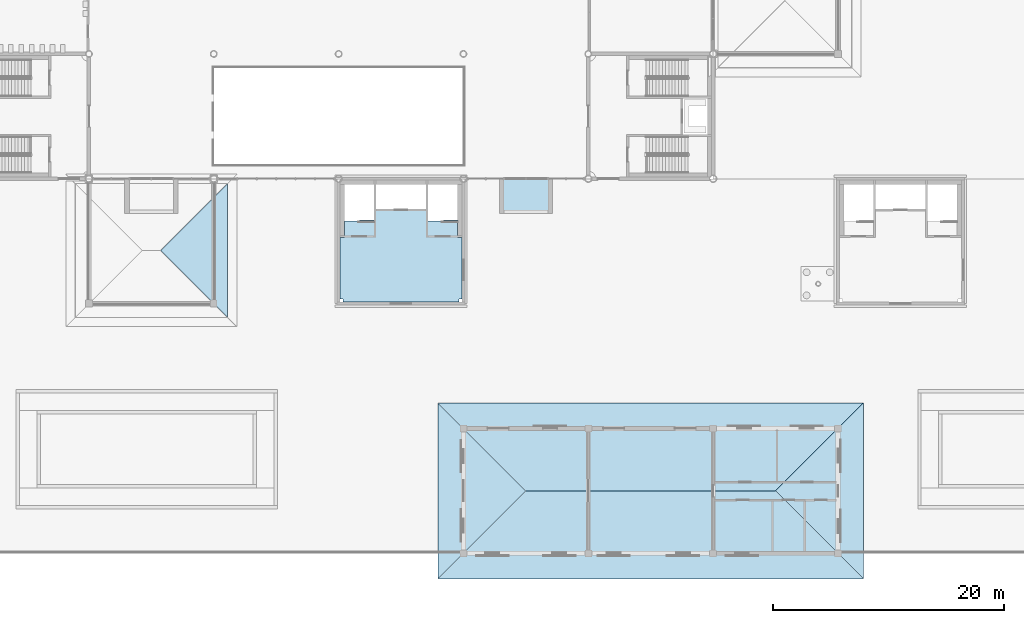
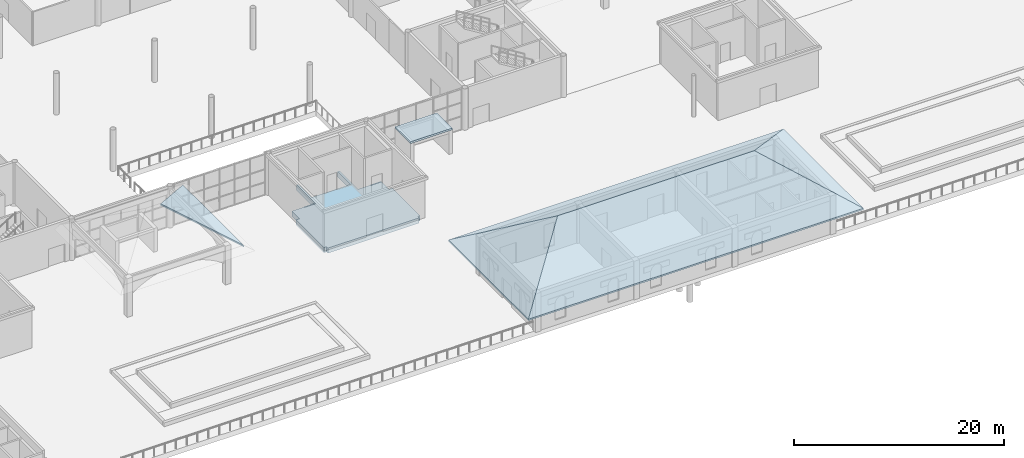
# One storey, part 36 of 91: 9 slabs.
"""IFC4 building model written with IfcOpenShell, lengths in metres."""

from ifc_helpers import new_model, si_unit, direction, frame, origin, place, context, subcontext, project, spatial, polyline, outline, extrude, material, layer, layer_set, type_object, element, save


model = new_model("IFC4")

# Units and contexts
model_context = context("Model", 3, precision=1e-05, world=origin(), true_north=direction((0.0, 1.0)))
body_context = subcontext(model_context, "Body", "Model", "MODEL_VIEW")
ifc_project = project(units=[si_unit("LENGTHUNIT", "METRE"), si_unit("AREAUNIT", "SQUARE_METRE"), si_unit("VOLUMEUNIT", "CUBIC_METRE"), si_unit("PLANEANGLEUNIT", "RADIAN"), si_unit("MASSUNIT", "GRAM", prefix="KILO")], contexts=[model_context])

# Site, building, storey
site_placement = place(None, origin())
site = spatial("IfcSite", under=ifc_project, at=site_placement, CompositionType="ELEMENT")
building_placement = place(site_placement, origin())
building = spatial("IfcBuilding", under=site, at=building_placement, Name="Magnolia Steps Interchange", CompositionType="ELEMENT")
storey_placement = place(building_placement, origin())
storey = spatial("IfcBuildingStorey", under=building, at=storey_placement, Name="L00", CompositionType="ELEMENT", Elevation=0.0)

# Slabs
ifc_material_1 = material(Name="Concrete C35", Category="concrete")
ifc_layer_1 = layer(ifc_material_1, 0.199951171875)
ifc_layer_set_1 = layer_set([ifc_layer_1], Name="Core floor nib 200")
slab_type_1 = type_object("IfcSlabType", Name="Core floor nib 200", PredefinedType="FLOOR", material=ifc_layer_set_1)
slab_1_placement = place(storey_placement, frame((0.0, 0.0, -0.199951171875)))
element("IfcSlab", 1, at=slab_1_placement, inside=storey, type_object=slab_type_1, Name="L00 core floor nib BC2", PredefinedType="FLOOR", context=body_context, shape_type="SweptSolid", body=[
    extrude(outline(polyline([(87.449951171875, 38.679931640625), (87.449951171875, 38.800048828125), (88.64990234375, 38.800048828125), (88.64990234375, 38.679931640625), (87.449951171875, 38.679931640625)])), origin(), (0.0, 0.0, 1.0), 0.199951171875),
])
slab_2_placement = place(storey_placement, frame((0.0, 0.0, -0.199951171875)))
element("IfcSlab", 2, at=slab_2_placement, inside=storey, type_object=slab_type_1, Name="L00 core floor nib BC2", PredefinedType="FLOOR", context=body_context, shape_type="SweptSolid", body=[
    extrude(outline(polyline([(94.699951171875, 38.679931640625), (94.699951171875, 38.800048828125), (95.89990234375, 38.800048828125), (95.89990234375, 38.679931640625), (94.699951171875, 38.679931640625)])), origin(), (0.0, 0.0, 1.0), 0.199951171875),
])
ifc_material_2 = material(Name="Concrete C35", Category="concrete")
ifc_layer_2 = layer(ifc_material_2, 0.60009765625)
ifc_layer_set_2 = layer_set([ifc_layer_2], Name="Core floor slab 600")
slab_type_2 = type_object("IfcSlabType", Name="Core floor slab 600", PredefinedType="FLOOR", material=ifc_layer_set_2)
slab_3_placement = place(storey_placement, frame((0.0, 0.0, -0.60009765625)))
element("IfcSlab", 3, at=slab_3_placement, inside=storey, type_object=slab_type_2, Name="L00 core floor BC2", PredefinedType="FLOOR", context=body_context, shape_type="SweptSolid", body=[
    extrude(outline(polyline([(86.0, 32.0), (85.72509765625, 32.0), (85.72509765625, 37.300048828125), (86.10009765625, 37.300048828125), (86.10009765625, 38.75), (87.449951171875, 38.75), (87.449951171875, 38.679931640625), (88.64990234375, 38.679931640625), (88.64990234375, 42.27490234375), (88.85009765625, 42.27490234375), (88.85009765625, 39.800048828125), (93.14990234375, 39.800048828125), (93.14990234375, 42.27490234375), (93.35009765625, 42.27490234375), (93.35009765625, 38.75), (94.699951171875, 38.75), (94.699951171875, 38.679931640625), (95.89990234375, 38.679931640625), (95.89990234375, 37.300048828125), (96.27490234375, 37.300048828125), (96.27490234375, 32.0), (96.0, 32.0), (96.0, 31.72509765625), (86.0, 31.72509765625), (86.0, 32.0)])), origin(), (0.0, 0.0, 1.0), 0.60009765625),
])
ifc_material_3 = material(Name="Concrete C40", Category="concrete")
ifc_layer_3 = layer(ifc_material_3, 0.199951171875)
ifc_layer_set_3 = layer_set([ifc_layer_3], Name="Entrance canopy slab 200")
slab_type_3 = type_object("IfcSlabType", Name="Entrance canopy slab 200", PredefinedType="ROOF", material=ifc_layer_set_3)
slab_4_placement = place(storey_placement, frame((0.0, 0.0, 2.75)))
element("IfcSlab", 4, at=slab_4_placement, inside=storey, type_object=slab_type_3, Name="Entrance canopy 5", PredefinedType="ROOF", context=body_context, shape_type="SweptSolid", body=[
    extrude(outline(polyline([(99.5, 39.39990234375), (104.10009765625, 39.39990234375), (104.10009765625, 42.324951171875), (99.5, 42.324951171875), (99.5, 39.39990234375)])), origin(), (0.0, 0.0, 1.0), 0.199951171875),
])
ifc_material_4 = material(Name="Concrete C40", Category="concrete")
ifc_layer_4 = layer(ifc_material_4, 0.14990234375)
ifc_layer_set_4 = layer_set([ifc_layer_4], Name="Pavilion roof slab 150")
slab_type_4 = type_object("IfcSlabType", Name="Pavilion roof slab 150", PredefinedType="ROOF", material=ifc_layer_set_4)
slab_5_placement = place(storey_placement, frame((76.0, 30.39990234375, 4.606689453125), z_axis=(0.500543489735, 0.0, 0.865711392373), x_axis=(0.0, 1.0, 0.0)))
element("IfcSlab", 5, at=slab_5_placement, inside=storey, type_object=slab_type_4, Name="Portico roof slab PT-S2 4", PredefinedType="ROOF", context=body_context, shape_type="SweptSolid", body=[
    extrude(outline(polyline([(0.0, 0.0), (11.600097656, 0.0), (5.800048828, 6.699748761), (0.0, 0.0)])), origin(), (0.0, -0.500543489735, -0.865711392373), 0.17333984375),
])
slab_6_placement = place(storey_placement, frame((94.199951171875, 7.800048828125, 3.37744140625), z_axis=(0.0, -0.529927923074, 0.84804268545), x_axis=(1.0, 0.0, 0.0)))
element("IfcSlab", 6, at=slab_6_placement, inside=storey, type_object=slab_type_4, Name="Pavilion roof slab 1", PredefinedType="ROOF", context=body_context, shape_type="SweptSolid", body=[
    extrude(outline(polyline([(0.0, 0.0), (36.800048828, 0.0), (29.199951172, 8.961640311), (7.600097656, 8.961640311), (0.0, 0.0)])), origin(), (0.0, -0.529927923074, -0.84804268545), 0.1767578125),
])
slab_7_placement = place(storey_placement, frame((131.0, 23.0, 3.37744140625), z_axis=(0.0, 0.529915680324, 0.848050335621), x_axis=(-1.0, 0.0, 0.0)))
element("IfcSlab", 7, at=slab_7_placement, inside=storey, type_object=slab_type_4, Name="Pavilion roof slab 2", PredefinedType="ROOF", context=body_context, shape_type="SweptSolid", body=[
    extrude(outline(polyline([(0.0, 0.0), (36.800048828, 0.0), (29.199951172, 8.961847354), (7.600097656, 8.961847354), (0.0, 0.0)])), origin(), (0.0, -0.529915680324, -0.848050335621), 0.1767578125),
])
slab_8_placement = place(storey_placement, frame((94.199951171875, 23.0, 3.37744140625), z_axis=(-0.529915680324, 0.0, 0.848050335621), x_axis=(0.0, -1.0, 0.0)))
element("IfcSlab", 8, at=slab_8_placement, inside=storey, type_object=slab_type_4, Name="Pavilion roof slab 3", PredefinedType="ROOF", context=body_context, shape_type="SweptSolid", body=[
    extrude(outline(polyline([(0.0, 0.0), (15.199951172, 0.0), (7.600097656, 8.961847354), (0.0, 0.0)])), origin(), (0.0, -0.529915680324, -0.848050335621), 0.1767578125),
])
slab_9_placement = place(storey_placement, frame((131.0, 7.800048828125, 3.37744140625), z_axis=(0.529915680324, 0.0, 0.848050335621), x_axis=(0.0, 1.0, 0.0)))
element("IfcSlab", 9, at=slab_9_placement, inside=storey, type_object=slab_type_4, Name="Pavilion roof slab 4", PredefinedType="ROOF", context=body_context, shape_type="SweptSolid", body=[
    extrude(outline(polyline([(0.0, 0.0), (15.199951172, 0.0), (7.599853516, 8.961847354), (0.0, 0.0)])), origin(), (0.0, -0.529915680324, -0.848050335621), 0.1767578125),
])

save(model, "model.ifc")
